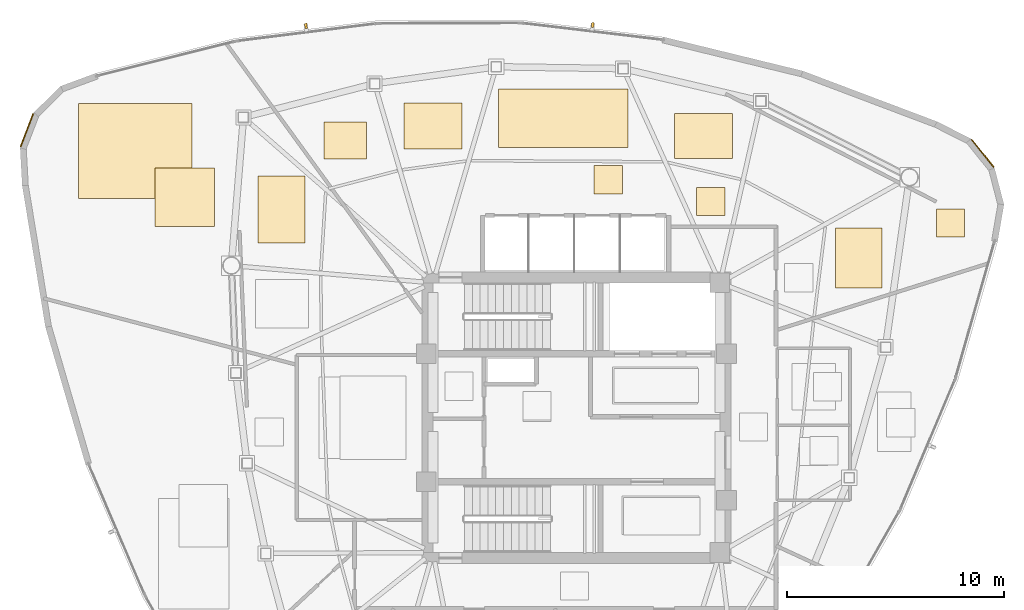
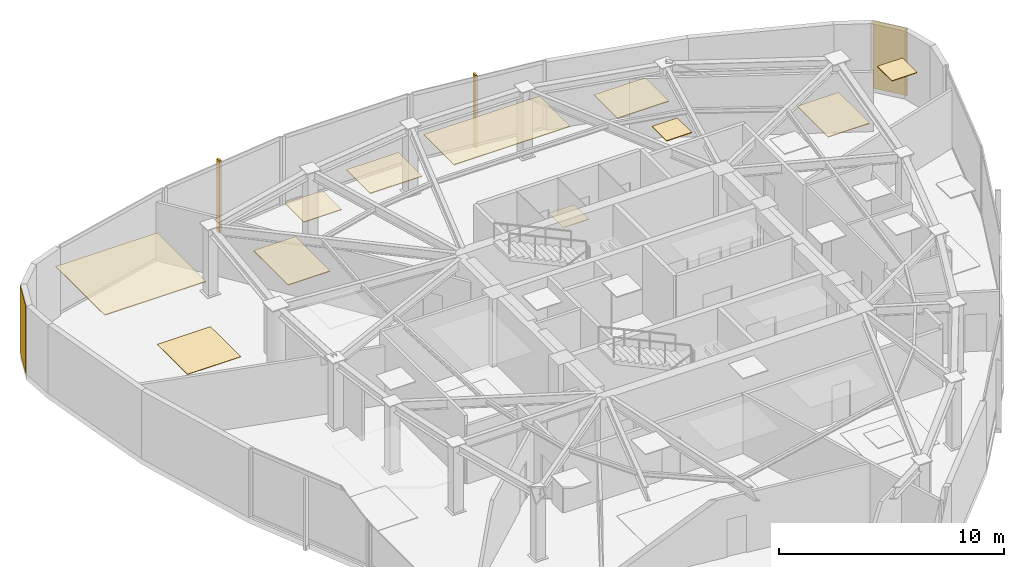
# One storey, part 12 of 12: 13 coverings, 2 shading devices.
"""IFC4 building model written with IfcOpenShell, lengths in metres."""

import ifcopenshell
import ifcopenshell.guid

model = None  # the IFC model being written
_history = None  # IfcOwnerHistory: only IFC2X3 demands one
_inside = {}  # id of a spatial element -> (the spatial element, [elements in it])
_under = {}  # id of a project, library or spatial element -> (it, [spatial elements below it])
_declared = {}  # id of a project -> (the project, [libraries it declares])
_typed = {}  # id of a type object -> (the type object, [elements of that type])
_made_of = {}  # id of a material, layer set ... -> (it, [elements and type objects made of it])


def new_model(schema):
    """Start an empty IFC model of exactly this schema.

    Asked for "IFC4X3", IfcOpenShell would pick the latest addendum, in which some entities
    have other attributes; the version numbers below select the first issue.
    IFC2X3 requires an IfcOwnerHistory on every rooted entity: one is made here for all.
    """
    global model, _history
    if schema == "IFC4X3":
        model = ifcopenshell.file(schema_version=(4, 3, 0, 0))
    else:
        model = ifcopenshell.file(schema=schema)
    _inside.clear()
    _under.clear()
    _declared.clear()
    _typed.clear()
    _made_of.clear()
    _history = None
    if model.schema == "IFC2X3":
        org = make("IfcOrganization", Name="unknown")
        user = make(
            "IfcPersonAndOrganization",
            ThePerson=make("IfcPerson", FamilyName="unknown"),
            TheOrganization=org,
        )
        app = make(
            "IfcApplication",
            ApplicationDeveloper=org,
            Version="unknown",
            ApplicationFullName="unknown",
            ApplicationIdentifier="unknown",
        )
        _history = make(
            "IfcOwnerHistory",
            OwningUser=user,
            OwningApplication=app,
            ChangeAction="ADDED",
            CreationDate=0,
        )
    return model


def make(cls, **values):
    """One entity of the class cls with the attributes given. An attribute that is None is left unset."""
    return model.create_entity(
        cls, **{name: value for name, value in values.items() if value is not None}
    )


def rooted(cls, **values):
    """An entity with a GlobalId (a new one), such as an element, a storey or a relation."""
    return make(cls, GlobalId=ifcopenshell.guid.new(), OwnerHistory=_history, **values)


def si_unit(unit_type, name, prefix=None):
    """IfcSIUnit, for example si_unit("LENGTHUNIT", "METRE", prefix="MILLI")."""
    return make("IfcSIUnit", UnitType=unit_type, Prefix=prefix, Name=name)


def assignment(units):
    """IfcUnitAssignment: the units of a project."""
    return None if units is None else make("IfcUnitAssignment", Units=units)


def point(xyz):
    """IfcCartesianPoint."""
    return None if xyz is None else make("IfcCartesianPoint", Coordinates=xyz)


def direction(xyz):
    """IfcDirection."""
    return None if xyz is None else make("IfcDirection", DirectionRatios=xyz)


def frame(location, z_axis=None, x_axis=None):
    """IfcAxis2Placement3D, a coordinate frame: its origin and axes. An axis left out is left unset."""
    return make(
        "IfcAxis2Placement3D",
        Location=point(location),
        Axis=direction(z_axis),
        RefDirection=direction(x_axis),
    )


def frame_2d(location, x_axis=None):
    """IfcAxis2Placement2D, a coordinate frame in the plane: its origin and x axis."""
    return make(
        "IfcAxis2Placement2D", Location=point(location), RefDirection=direction(x_axis)
    )


def origin():
    """The frame at (0, 0, 0) with its axes left unset."""
    return frame((0.0, 0.0, 0.0))


def origin_2d():
    """The frame at (0, 0) in the plane with its x axis left unset."""
    return frame_2d((0.0, 0.0))


def place(relative_to, where):
    """IfcLocalPlacement: puts the frame where relative to a parent placement (None: the world)."""
    return make(
        "IfcLocalPlacement", PlacementRelTo=relative_to, RelativePlacement=where
    )


def context(
    kind, dimensions, precision=None, world=None, true_north=None, identifier=None
):
    """IfcGeometricRepresentationContext, for example the 3D "Model" context."""
    return make(
        "IfcGeometricRepresentationContext",
        ContextIdentifier=identifier,
        ContextType=kind,
        CoordinateSpaceDimension=dimensions,
        Precision=precision,
        WorldCoordinateSystem=world,
        TrueNorth=true_north,
    )


def subcontext(parent, identifier, kind, view, scale=None):
    """IfcGeometricRepresentationSubContext, for example "Body" below "Model"."""
    return make(
        "IfcGeometricRepresentationSubContext",
        ContextIdentifier=identifier,
        ContextType=kind,
        ParentContext=parent,
        TargetScale=scale,
        TargetView=view,
    )


def project(units=None, contexts=None):
    """IfcProject with its units and contexts."""
    return rooted(
        "IfcProject",
        Name="project",
        RepresentationContexts=contexts,
        UnitsInContext=assignment(units),
    )


def spatial(cls, under=None, at=None, **own):
    """A site, building, storey or space (cls), placed at a placement, below another one or the project."""
    s = rooted(cls, ObjectPlacement=at, **own)
    if under is not None:
        _under.setdefault(under.id(), (under, []))[1].append(s)
    return s


def polyline(points):
    """IfcPolyline through the points."""
    return make("IfcPolyline", Points=[point(p) for p in points])


def profile(cls, at=None, kind="AREA", **sizes):
    """A parametric profile (cls). Its sizes go by their IFC names, for example OverallWidth=200.0."""
    return make(cls, ProfileType=kind, Position=at, **sizes)


def rectangle(**sizes):
    """IfcRectangleProfileDef."""
    return profile("IfcRectangleProfileDef", **sizes)


def outline(outer, holes=None, kind="AREA"):
    """IfcArbitraryClosedProfileDef: a profile drawn as a closed curve; with holes, ...WithVoids."""
    if holes is None:
        return make("IfcArbitraryClosedProfileDef", ProfileType=kind, OuterCurve=outer)
    return make(
        "IfcArbitraryProfileDefWithVoids",
        ProfileType=kind,
        OuterCurve=outer,
        InnerCurves=holes,
    )


def extrude(swept, where, along, depth):
    """IfcExtrudedAreaSolid: the profile swept, set in the frame where, extruded along a direction by depth."""
    return make(
        "IfcExtrudedAreaSolid",
        SweptArea=swept,
        Position=where,
        ExtrudedDirection=direction(along),
        Depth=depth,
    )


def shape(context_of_items, identifier, shape_type, items):
    """IfcShapeRepresentation: the items that make up one representation, for example the "Body"."""
    return make(
        "IfcShapeRepresentation",
        ContextOfItems=context_of_items,
        RepresentationIdentifier=identifier,
        RepresentationType=shape_type,
        Items=items,
    )


def source(mapping_origin, context_of_items, identifier, shape_type, items):
    """IfcRepresentationMap: a shape defined once, which mapped items show again and again."""
    return make(
        "IfcRepresentationMap",
        MappingOrigin=mapping_origin,
        MappedRepresentation=shape(context_of_items, identifier, shape_type, items),
    )


def transform(
    local_origin,
    x_axis=None,
    y_axis=None,
    z_axis=None,
    scale=None,
    scale2=None,
    scale3=None,
    uniform=True,
):
    """IfcCartesianTransformationOperator3D, or its non-uniform kind. x_axis, y_axis, z_axis: its Axis1, 2, 3."""
    if uniform:
        return make(
            "IfcCartesianTransformationOperator3D",
            Axis1=direction(x_axis),
            Axis2=direction(y_axis),
            LocalOrigin=point(local_origin),
            Scale=scale,
            Axis3=direction(z_axis),
        )
    return make(
        "IfcCartesianTransformationOperator3DnonUniform",
        Axis1=direction(x_axis),
        Axis2=direction(y_axis),
        LocalOrigin=point(local_origin),
        Scale=scale,
        Axis3=direction(z_axis),
        Scale2=scale2,
        Scale3=scale3,
    )


def mapped(mapping_source, mapping_target):
    """IfcMappedItem: shows the shape of a source again, moved by a transform."""
    return make(
        "IfcMappedItem", MappingSource=mapping_source, MappingTarget=mapping_target
    )


def material(Name=None, Category=None):
    """IfcMaterial."""
    return make("IfcMaterial", Name=Name, Category=Category)


def layer(
    of_material, thickness, ventilated=None, Name=None, Category=None, Priority=None
):
    """IfcMaterialLayer: one layer of a wall or slab, of a material (None: an air gap)."""
    return make(
        "IfcMaterialLayer",
        Material=of_material,
        LayerThickness=thickness,
        IsVentilated=ventilated,
        Name=Name,
        Category=Category,
        Priority=Priority,
    )


def layer_set(layers, Name=None):
    """IfcMaterialLayerSet."""
    return make("IfcMaterialLayerSet", MaterialLayers=layers, LayerSetName=Name)


def made_of(thing, what):
    """Note that an element or type object is made of a material, layer set ...; save() writes the relation."""
    if what is not None:
        _made_of.setdefault(what.id(), (what, []))[1].append(thing)
    return thing


def type_object(cls, material=None, **own):
    """A type object (cls), such as IfcWallType, which elements share."""
    return made_of(rooted(cls, **own), material)


def type_shapes(of_type, sources):
    """Give a type object the sources (RepresentationMaps) that its elements show as mapped items."""
    of_type.RepresentationMaps = sources


def element(
    cls,
    number,
    at=None,
    inside=None,
    cuts=None,
    type_object=None,
    material=None,
    context=None,
    identifier="Body",
    shape_type=None,
    held_by="IfcProductDefinitionShape",
    body=None,
    shapes=None,
    **own,
):
    """One element of the class cls, such as IfcWall. Its Tag is "e" and its number.

    at: its placement. inside: the storey or other place that contains it. cuts: it is an
    opening in that element (IfcRelVoidsElement). A single representation is given by context,
    identifier, shape_type and body (its items); several are given by shapes. held_by: the class
    of the entity that holds the representations. save() writes the other relations.
    """
    e = rooted(cls, Tag="e%d" % number, ObjectPlacement=at, **own)
    if body is not None:
        shapes = [shape(context, identifier, shape_type, body)]
    if shapes is not None:
        e.Representation = make(held_by, Representations=shapes)
    if inside is not None:
        _inside.setdefault(inside.id(), (inside, []))[1].append(e)
    if cuts is not None:
        rooted(
            "IfcRelVoidsElement", RelatingBuildingElement=cuts, RelatedOpeningElement=e
        )
    if type_object is not None:
        _typed.setdefault(type_object.id(), (type_object, []))[1].append(e)
    return made_of(e, material)


def aggregate(whole, parts):
    """IfcRelAggregates: a whole, such as a stair, and the parts it consists of."""
    return rooted("IfcRelAggregates", RelatingObject=whole, RelatedObjects=parts)


def save(model, path):
    """Write the relations noted so far, then the file.

    IfcRelAggregates (storeys below a building ...), IfcRelContainedInSpatialStructure (elements
    in a storey), IfcRelDefinesByType, IfcRelAssociatesMaterial and IfcRelDeclares: one each for
    every whole, place, type object, material and project.
    """
    for whole, parts in _under.values():
        aggregate(whole, parts)
    for where, things in _inside.values():
        rooted(
            "IfcRelContainedInSpatialStructure",
            RelatedElements=things,
            RelatingStructure=where,
        )
    for kind, things in _typed.values():
        rooted("IfcRelDefinesByType", RelatedObjects=things, RelatingType=kind)
    for what, things in _made_of.values():
        rooted("IfcRelAssociatesMaterial", RelatedObjects=things, RelatingMaterial=what)
    for by, libraries in _declared.values():
        rooted("IfcRelDeclares", RelatingContext=by, RelatedDefinitions=libraries)
    model.write(path)


model = new_model("IFC4")

# Units and contexts
model_context = context("Model", 3, precision=1e-05, world=origin(), true_north=direction((0.0, 1.0)))
body_context = subcontext(model_context, "Body", "Model", "MODEL_VIEW")
ifc_project = project(units=[si_unit("LENGTHUNIT", "METRE"), si_unit("AREAUNIT", "SQUARE_METRE"), si_unit("VOLUMEUNIT", "CUBIC_METRE"), si_unit("PLANEANGLEUNIT", "RADIAN"), si_unit("MASSUNIT", "GRAM", prefix="KILO")], contexts=[model_context])

# Site, building, storey
site_placement = place(None, origin())
site = spatial("IfcSite", under=ifc_project, at=site_placement, CompositionType="ELEMENT")
building_placement = place(site_placement, origin())
building = spatial("IfcBuilding", under=site, at=building_placement, Name="Tavelor Broadcast Tower", CompositionType="ELEMENT")
storey_placement = place(building_placement, frame((0.0, 0.0, 281.5)))
storey = spatial("IfcBuildingStorey", under=building, at=storey_placement, Name="L67", CompositionType="ELEMENT", Elevation=281.5)

# Coverings
ifc_material_1 = material(Name="Copper-Bronze Anodized Aluminium", Category="aluminium")
ifc_layer_1 = layer(ifc_material_1, 0.050048828125)
ifc_layer_set_1 = layer_set([ifc_layer_1], Name="Copper-Bronze Anodized Aluminium")
covering_type_1 = type_object("IfcCoveringType", Name="Champagne-Bronze Corner Pier Metal Cladding 50 mm", PredefinedType="CLADDING", material=ifc_layer_set_1)
for number, where, z_axis, x_axis, name in (
    (1, (24.73193359375, 58.21923828125, 0.02001953125), (0.0, 0.0, 1.0), (-0.360810826488, -0.932639023143, 0.0), "L67 Champagne-Bronze Corner Cladding 03"),
    (2, (68.682373046875, 57.155517578125, 0.02001953125), (0.0, 0.0, 1.0), (-0.627283673359, 0.77879085327, 0.0), "L67 Champagne-Bronze Corner Cladding 23"),
):
    element("IfcCovering", number, at=place(storey_placement, frame(where, z_axis=z_axis, x_axis=x_axis)), inside=storey, type_object=covering_type_1, Name=name, PredefinedType="CLADDING", context=body_context, shape_type="SweptSolid", body=[
        extrude(rectangle(XDim=1.6337890625, YDim=0.050048828125, at=origin_2d()), origin(), (0.0, 0.0, 1.0), 3.659912109375),
    ])
ifc_material_2 = material(Name="Acoustic Nylon Carpet Tile")
ifc_layer_2 = layer(ifc_material_2, 0.02001953125)
ifc_layer_set_2 = layer_set([ifc_layer_2], Name="Acoustic Nylon Carpet Tile")
covering_type_2 = type_object("IfcCoveringType", Name="Heavy-Duty Acoustic Broadcast Carpet Tile 20 mm", PredefinedType="FLOORING", material=ifc_layer_set_2)
covering_1_placement = place(storey_placement, origin())
element("IfcCovering", 3, at=covering_1_placement, inside=storey, type_object=covering_type_2, Name="L67 Broadcast Floor Finish 1006", PredefinedType="FLOORING", context=body_context, shape_type="SweptSolid", body=[
    extrude(outline(polyline([(30.617919921875, 53.803466796875), (33.360595703125, 53.803466796875), (33.360595703125, 56.49365234375), (30.617919921875, 56.49365234375), (30.617919921875, 53.803466796875)])), origin(), (0.0, 0.0, 1.0), 0.02001953125),
])
covering_2_placement = place(storey_placement, origin())
element("IfcCovering", 4, at=covering_2_placement, inside=storey, type_object=covering_type_2, Name="L67 Broadcast Floor Finish 1007", PredefinedType="FLOORING", context=body_context, shape_type="SweptSolid", body=[
    extrude(outline(polyline([(50.815185546875, 55.29248046875), (52.114990234375, 55.29248046875), (52.114990234375, 56.592529296875), (50.815185546875, 56.592529296875), (50.815185546875, 55.29248046875)])), origin(), (0.0, 0.0, 1.0), 0.02001953125),
])
ifc_material_3 = material(Name="Acoustic Mineral Fibre Tile")
ifc_layer_3 = layer(ifc_material_3, 0.0400390625)
ifc_layer_set_3 = layer_set([ifc_layer_3], Name="Acoustic Mineral Fibre Tile")
covering_type_3 = type_object("IfcCoveringType", Name="Suspended Acoustic Mineral-Fibre Office Ceiling 40 mm", PredefinedType="CEILING", material=ifc_layer_set_3)
covering_3_placement = place(storey_placement, frame((0.0, 0.0, 3.659912109375)))
element("IfcCovering", 5, at=covering_3_placement, inside=storey, type_object=covering_type_3, Name="L67 Suspended Acoustic Ceiling 2585", PredefinedType="CEILING", context=body_context, shape_type="SweptSolid", body=[
    extrude(outline(polyline([(27.10302734375, 55.089599609375), (32.322021484375, 55.089599609375), (32.322021484375, 59.447509765625), (27.10302734375, 59.447509765625), (27.10302734375, 55.089599609375)])), origin(), (0.0, 0.0, 1.0), 0.0400390625),
])
covering_4_placement = place(storey_placement, frame((0.0, 0.0, 3.659912109375)))
element("IfcCovering", 6, at=covering_4_placement, inside=storey, type_object=covering_type_3, Name="L67 Suspended Acoustic Ceiling 2587", PredefinedType="CEILING", context=body_context, shape_type="SweptSolid", body=[
    extrude(outline(polyline([(35.348876953125, 53.025634765625), (37.5078125, 53.025634765625), (37.5078125, 56.111572265625), (35.348876953125, 56.111572265625), (35.348876953125, 53.025634765625)])), origin(), (0.0, 0.0, 1.0), 0.0400390625),
])
covering_5_placement = place(storey_placement, frame((0.0, 0.0, 3.659912109375)))
element("IfcCovering", 7, at=covering_5_placement, inside=storey, type_object=covering_type_3, Name="L67 Suspended Acoustic Ceiling 2588", PredefinedType="CEILING", context=body_context, shape_type="SweptSolid", body=[
    extrude(outline(polyline([(54.51708984375, 56.90771484375), (57.165771484375, 56.90771484375), (57.165771484375, 58.9951171875), (54.51708984375, 58.9951171875), (54.51708984375, 56.90771484375)])), origin(), (0.0, 0.0, 1.0), 0.0400390625),
])
covering_6_placement = place(storey_placement, frame((0.0, 0.0, 3.659912109375)))
element("IfcCovering", 8, at=covering_6_placement, inside=storey, type_object=covering_type_3, Name="L67 Suspended Acoustic Ceiling 2589", PredefinedType="CEILING", context=body_context, shape_type="SweptSolid", body=[
    extrude(outline(polyline([(61.91748046875, 50.954345703125), (64.049072265625, 50.954345703125), (64.049072265625, 53.71630859375), (61.91748046875, 53.71630859375), (61.91748046875, 50.954345703125)])), origin(), (0.0, 0.0, 1.0), 0.0400390625),
])
covering_7_placement = place(storey_placement, frame((0.0, 0.0, 3.659912109375)))
element("IfcCovering", 9, at=covering_7_placement, inside=storey, type_object=covering_type_3, Name="L67 Suspended Acoustic Ceiling 2590", PredefinedType="CEILING", context=body_context, shape_type="SweptSolid", body=[
    extrude(outline(polyline([(66.552001953125, 53.306396484375), (67.85205078125, 53.306396484375), (67.85205078125, 54.6064453125), (66.552001953125, 54.6064453125), (66.552001953125, 53.306396484375)])), origin(), (0.0, 0.0, 1.0), 0.0400390625),
])
covering_8_placement = place(storey_placement, frame((0.0, 0.0, 3.659912109375)))
element("IfcCovering", 10, at=covering_8_placement, inside=storey, type_object=covering_type_3, Name="L67 Suspended Acoustic Ceiling 2592", PredefinedType="CEILING", context=body_context, shape_type="SweptSolid", body=[
    extrude(outline(polyline([(55.532470703125, 54.290283203125), (56.83251953125, 54.290283203125), (56.83251953125, 55.590087890625), (55.532470703125, 55.590087890625), (55.532470703125, 54.290283203125)])), origin(), (0.0, 0.0, 1.0), 0.0400390625),
])
covering_9_placement = place(storey_placement, frame((0.0, 0.0, 3.659912109375)))
element("IfcCovering", 11, at=covering_9_placement, inside=storey, type_object=covering_type_3, Name="L67 Suspended Acoustic Ceiling 2593", PredefinedType="CEILING", context=body_context, shape_type="SweptSolid", body=[
    extrude(outline(polyline([(38.393310546875, 56.9052734375), (40.345703125, 56.9052734375), (40.345703125, 58.60693359375), (38.393310546875, 58.60693359375), (38.393310546875, 56.9052734375)])), origin(), (0.0, 0.0, 1.0), 0.0400390625),
])
covering_10_placement = place(storey_placement, frame((0.0, 0.0, 3.659912109375)))
element("IfcCovering", 12, at=covering_10_placement, inside=storey, type_object=covering_type_3, Name="L67 Suspended Acoustic Ceiling 2594", PredefinedType="CEILING", context=body_context, shape_type="SweptSolid", body=[
    extrude(outline(polyline([(46.41064453125, 57.414794921875), (52.3798828125, 57.414794921875), (52.3798828125, 60.12158203125), (46.41064453125, 60.12158203125), (46.41064453125, 57.414794921875)])), origin(), (0.0, 0.0, 1.0), 0.0400390625),
])
covering_11_placement = place(storey_placement, frame((0.0, 0.0, 3.659912109375)))
element("IfcCovering", 13, at=covering_11_placement, inside=storey, type_object=covering_type_3, Name="L67 Suspended Acoustic Ceiling 2595", PredefinedType="CEILING", context=body_context, shape_type="SweptSolid", body=[
    extrude(outline(polyline([(42.065185546875, 57.3564453125), (44.7392578125, 57.3564453125), (44.7392578125, 59.48046875), (42.065185546875, 59.48046875), (42.065185546875, 57.3564453125)])), origin(), (0.0, 0.0, 1.0), 0.0400390625),
])

# Shading devices
ifc_material_4 = material(Name="Kiln-Fired Glazed Terracotta", Category="masonry")
shading_device_type = type_object("IfcShadingDeviceType", Name="Extruded Terracotta Baguette Sun-Screen 110x240", PredefinedType="JALOUSIE", material=ifc_material_4)
shared_shape = source(origin(), body_context, "Body", "SweptSolid", [
    extrude(rectangle(XDim=0.110107421875, YDim=0.239990234375, at=origin_2d()), origin(), (0.0, 0.0, 1.0), 3.93994140625),
])
type_shapes(shading_device_type, [shared_shape])
for number, where, z_axis, x_axis, name in (
    (14, (50.749755859375, 63.0576171875, -0.260009765625), (0.0, 0.0, 1.0), (-0.993006778393, 0.11805735075, 0.0), "L67 Terracotta Baguette Fin 677"),
    (15, (37.561767578125, 63.01708984375, -0.260009765625), (0.0, 0.0, 1.0), (-0.99226708428, -0.124121043561, 0.0), "L67 Terracotta Baguette Fin 678"),
):
    element("IfcShadingDevice", number, at=place(storey_placement, frame(where, z_axis=z_axis, x_axis=x_axis)), inside=storey, type_object=shading_device_type, Name=name, PredefinedType="JALOUSIE", context=body_context, shape_type="MappedRepresentation", body=[
        mapped(shared_shape, transform((0.0, 0.0, 0.0), scale=1.0)),
    ])

save(model, "model.ifc")
